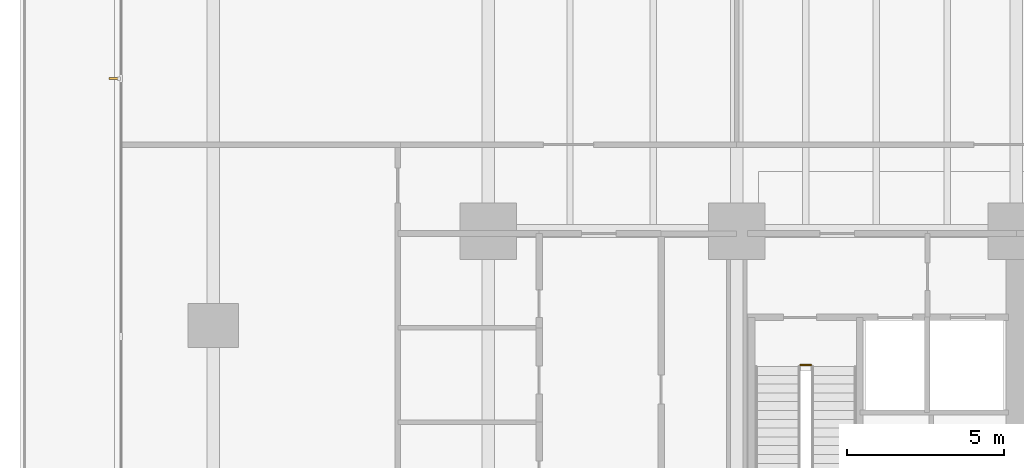
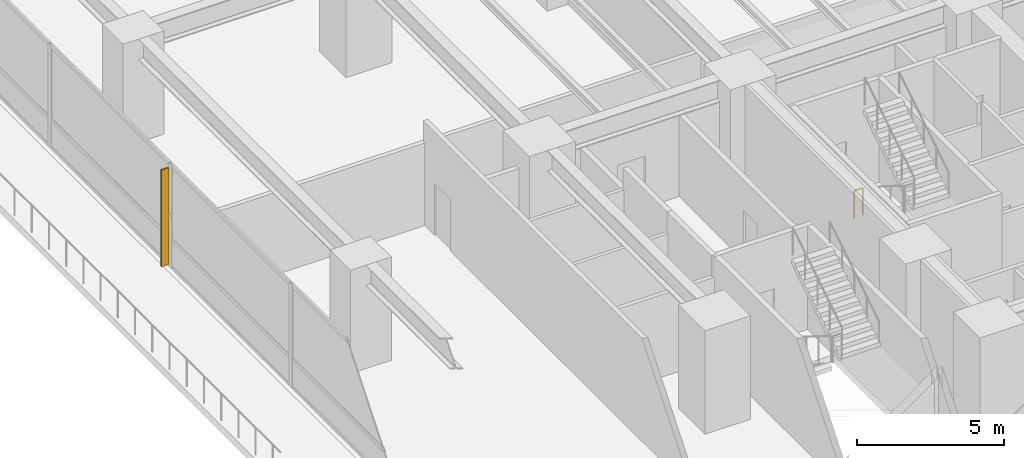
# One storey, part 21 of 28: 1 railing, 1 shading device.
"""IFC4 building model written with IfcOpenShell, lengths in metres."""

from ifc_helpers import new_model, si_unit, direction, frame, origin, origin_2d, place, context, subcontext, project, spatial, polyline, circle, outline, extrude, material, layer, layer_set, type_object, element, save


model = new_model("IFC4")

# Units and contexts
model_context = context("Model", 3, precision=1e-05, world=origin(), true_north=direction((0.0, 1.0)))
body_context = subcontext(model_context, "Body", "Model", "MODEL_VIEW")
ifc_project = project(units=[si_unit("LENGTHUNIT", "METRE"), si_unit("AREAUNIT", "SQUARE_METRE"), si_unit("VOLUMEUNIT", "CUBIC_METRE"), si_unit("PLANEANGLEUNIT", "RADIAN"), si_unit("MASSUNIT", "GRAM", prefix="KILO")], contexts=[model_context])

# Site, building, storey
site_placement = place(None, origin())
site = spatial("IfcSite", under=ifc_project, at=site_placement, CompositionType="ELEMENT")
building_placement = place(site_placement, origin())
building = spatial("IfcBuilding", under=site, at=building_placement, Name="Qalmaran Belvedere Hotel", CompositionType="ELEMENT")
storey_placement = place(building_placement, frame((0.0, 0.0, 10.0)))
storey = spatial("IfcBuildingStorey", under=building, at=storey_placement, Name="L02", CompositionType="ELEMENT", Elevation=10.0)

# Shading device
ifc_material_1 = material(Name="Anodised Bronze Aluminium", Category="aluminium")
ifc_layer = layer(ifc_material_1, 0.06494140625, Name="Anodised Bronze Aluminium")
ifc_layer_set = layer_set([ifc_layer], Name="Anodised Bronze Aluminium")
shading_device_type = type_object("IfcShadingDeviceType", Name="FIN-BRNZ-300", PredefinedType="USERDEFINED", material=ifc_layer_set)
shading_device_placement = place(storey_placement, frame((0.0, 0.0, 0.159912109375)))
element("IfcShadingDevice", 1, at=shading_device_placement, inside=storey, type_object=shading_device_type, Name="L02 Bronze Fin 3", ObjectType="FIN", PredefinedType="USERDEFINED", context=body_context, shape_type="SweptSolid", body=[
    extrude(outline(polyline([(0.62744140625, 25.382568359375), (0.327392578125, 25.382568359375), (0.327392578125, 25.3173828125), (0.62744140625, 25.3173828125), (0.62744140625, 25.382568359375)])), origin(), (0.0, 0.0, 1.0), 4.02001953125),
])

# Railing
ifc_material_2 = material(Name="Stainless Steel 1.4401", Category="steel")
railing_type = type_object("IfcRailingType", Name="RLG-STAIR-GUARD-1150", PredefinedType="GUARDRAIL", material=ifc_material_2)
railing_placement = place(storey_placement, frame((22.330078125, 16.239990234375, 0.0)))
element("IfcRailing", 2, at=railing_placement, inside=storey, type_object=railing_type, Name="L02 ST-1 stair guard 4", PredefinedType="GUARDRAIL", context=body_context, shape_type="SweptSolid", body=[
    extrude(circle(Radius=0.02392578125, at=origin_2d()), frame((0.0, 0.0, 1.1259765625), z_axis=(1.0, 0.0, 0.0), x_axis=(0.0, 1.0, 0.0)), (0.0, 0.0, 1.0), 0.33984375),
    extrude(circle(Radius=0.02099609375, at=origin_2d()), origin(), (0.0, 0.0, 1.0), 1.101806640625),
    extrude(circle(Radius=0.02099609375, at=origin_2d()), frame((0.33984375, 0.0, 0.0)), (0.0, 0.0, 1.0), 1.101806640625),
])

save(model, "model.ifc")
